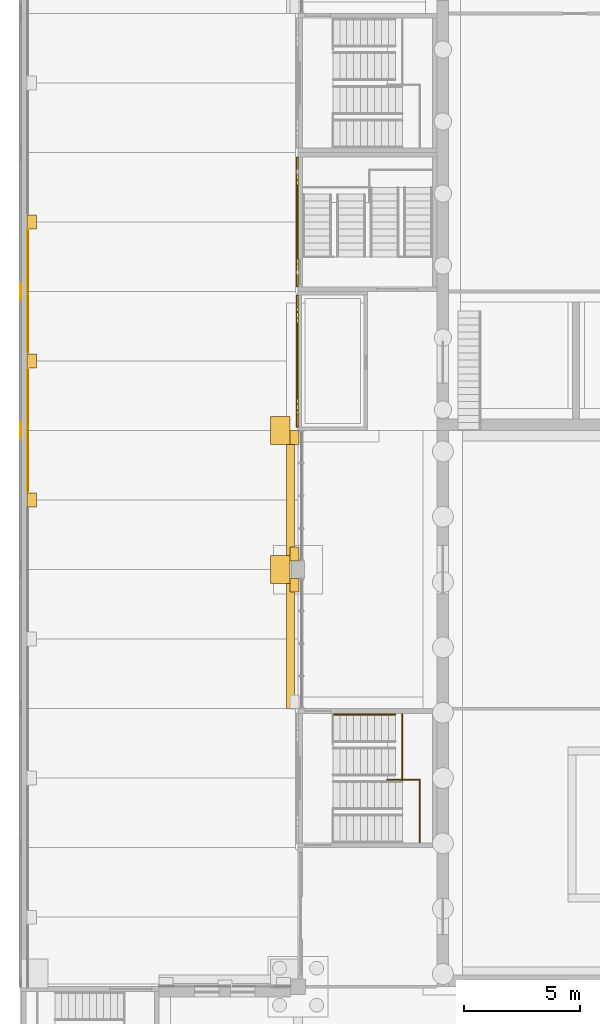
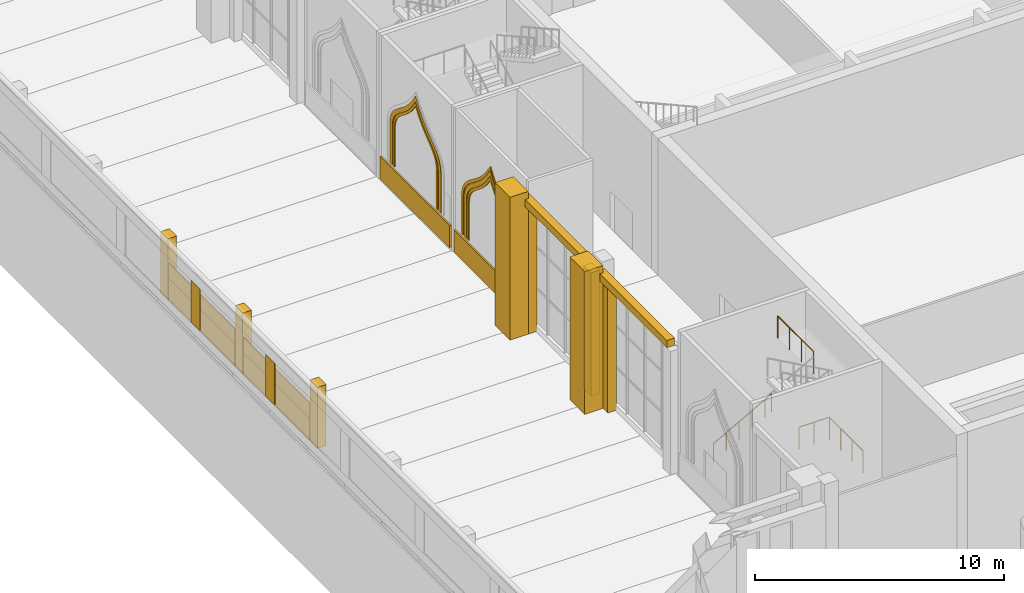
# One storey, part 67 of 95: 23 coverings, 4 railings.
"""IFC4 building model written with IfcOpenShell, lengths in metres."""

from ifc_helpers import new_model, si_unit, direction, frame, origin, origin_2d, place, context, subcontext, project, spatial, polyline, rectangle, circle, outline, extrude, material, layer, layer_set, type_object, element, save


model = new_model("IFC4")

# Units and contexts
model_context = context("Model", 3, precision=1e-05, world=origin(), true_north=direction((0.0, 1.0)))
body_context = subcontext(model_context, "Body", "Model", "MODEL_VIEW")
ifc_project = project(units=[si_unit("LENGTHUNIT", "METRE"), si_unit("AREAUNIT", "SQUARE_METRE"), si_unit("VOLUMEUNIT", "CUBIC_METRE"), si_unit("PLANEANGLEUNIT", "RADIAN"), si_unit("MASSUNIT", "GRAM", prefix="KILO")], contexts=[model_context])

# Site, building, storey
site_placement = place(None, origin())
site = spatial("IfcSite", under=ifc_project, at=site_placement, CompositionType="ELEMENT")
building_placement = place(site_placement, origin())
building = spatial("IfcBuilding", under=site, at=building_placement, Name="Saffron Lane Theatres", CompositionType="ELEMENT")
storey_placement = place(building_placement, origin())
storey = spatial("IfcBuildingStorey", under=building, at=storey_placement, Name="L00", CompositionType="ELEMENT", Elevation=0.0)

# Coverings
ifc_material_1 = material(Name="Masonry sandstone", Category="masonry")
ifc_layer_1 = layer(ifc_material_1, 0.050048828125)
ifc_layer_set_1 = layer_set([ifc_layer_1], Name="Masonry sandstone")
covering_type_1 = type_object("IfcCoveringType", Name="EX-ARCH FRAME RING SANDSTONE 50", PredefinedType="CLADDING", material=ifc_layer_set_1)
covering_1_placement = place(storey_placement, frame((12.0, 61.220947265625, 3.31103515625), z_axis=(1.0, 0.0, 0.0), x_axis=(0.0, -0.060212267817, -0.99818559537)))
element("IfcCovering", 1, at=covering_1_placement, inside=storey, type_object=covering_type_1, Name="Arch recess ring L00", PredefinedType="CLADDING", context=body_context, shape_type="SweptSolid", body=[
    extrude(outline(polyline([(0.0, 0.0), (0.18245996245064686, -1.734723475976807e-18), (2.0579571162514476, 0.11313320632846652), (2.050724587988245, 0.2330324526473327), (0.17912659666935885, 0.12013445049002722), (0.008851516974694298, 0.1208694635249055), (-0.13960380243034332, 0.14101992754420883), (-0.27042632246488074, 0.1810670310814375), (-0.3880257946657277, 0.2370760043565431), (-0.4986122624964559, 0.31062892209304366), (-0.603885402766164, 0.39746532206832463), (-0.708349375352586, 0.499270180830787), (-0.8142206528964551, 0.6122410309466604), (-0.9258563926685295, 0.7356258724131494), (-1.0450444730420934, 0.8666264289383572), (-1.175625255456271, 1.0040327057306444), (-1.3213214992646054, 1.144685126757414), (-1.4861878630399454, 1.2868716016560897), (-1.6721445275018532, 1.4299871330308516), (-1.882826050439687, 1.5694099589183848), (-2.040617995422439, 1.659192944482378), (-1.8947626621261104, 1.767292454875538), (-1.7023682634960484, 1.931029511956845), (-1.5349633280344688, 2.0954604213430774), (-1.3883840885669005, 2.256433829413242), (-1.2607103643737818, 2.4145547335631594), (-1.1475346906255224, 2.5656864804325337), (-1.0449579048402078, 2.7100642741925265), (-0.9489632424503434, 2.8459737377733414), (-0.8574394193472985, 2.9708517990542433), (-0.7659704772175246, 3.0844756674175486), (-0.6719577366421521, 3.184311671263917), (-0.5709558387862367, 3.2696496246654263), (-0.4609417011053337, 3.339388641432058), (-0.3358816832642421, 3.394871018701731), (-0.1909838269480154, 3.4336953872213822), (-0.02197296967334153, 3.4539183725267932), (1.8496250216455448, 3.5668163746840986), (1.8423924933823423, 3.6867156210029646), (-0.03310466041845825, 3.5735824146744983), (-0.2142415994063242, 3.5516496257137304), (-0.3750470978320768, 3.508930668126604), (-0.5175148377187658, 3.446039032792898), (-0.6428401135973336, 3.366571383496617), (-0.754264496287823, 3.2715551051242904), (-0.8570526391547226, 3.163118468752466), (-0.9530868289122405, 3.044082944417697), (-1.0463985303885692, 2.9164066068448986), (-1.142378492517736, 2.780253445608964), (-1.2440392887253622, 2.63690924351224), (-1.3551392856631255, 2.487859380230101), (-1.480212043730155, 2.335276227621187), (-1.6211630433853152, 2.1783110906345584), (-1.7838178346068216, 2.020281328100966), (-1.9696239030646943, 1.860855040801105), (-2.26018958268524, 1.6459480095938712), (-1.9458976822988232, 1.4675270254379955), (-1.742333698918291, 1.332566545353323), (-1.5618033906885445, 1.1942599592614251), (-1.403079775850027, 1.0565946312084007), (-1.2604990072921967, 0.9189338765698157), (-1.132287906902467, 0.7843196692926863), (-1.0141922192349622, 0.6552098929656452), (-0.9024829781593999, 0.530606563223558), (-0.7945004165069005, 0.415072640986949), (-0.6848537853434367, 0.30844413668092546), (-0.569776224533372, 0.21314953337272505), (-0.44773825361924, 0.13221610474866663), (-0.31376922445050365, 0.06838953283459553), (-0.16483336985688563, 0.024054199915656917), (0.0, 0.0)])), origin(), (0.0, 0.0, -1.0), 0.050048828125),
])
covering_2_placement = place(storey_placement, frame((12.0, 60.962890625, 3.333984375), z_axis=(1.0, 0.0, 0.0), x_axis=(0.0, -0.063270109204, -0.997996439513)))
element("IfcCovering", 2, at=covering_2_placement, inside=storey, type_object=covering_type_1, Name="Arch recess ring L00", PredefinedType="CLADDING", context=body_context, shape_type="SweptSolid", body=[
    extrude(outline(polyline([(0.0, 0.0), (0.20451131328636926, 0.0), (2.0806276668637502, 0.11894039083684353), (2.067976734383832, 0.31849094844461956), (0.19770801619422412, 0.19992128090389083), (0.0144407216005487, 0.20053419842883544), (-0.1432761019235517, 0.22258203382804242), (-0.2813055365698555, 0.2659377152798876), (-0.40748727254448935, 0.3269240290838356), (-0.5257351802433071, 0.4055374778503005), (-0.6390348645762146, 0.5025673058291871), (-0.7523176448594566, 0.6147653124425081), (-0.8697101493553678, 0.7416252505476917), (-0.9917579708393627, 0.8801769620388366), (-1.124428821741667, 1.0280850650198985), (-1.2693046879516765, 1.1832922200669196), (-1.4318505321466313, 1.3432502874173748), (-1.61456115889787, 1.5048655345333244), (-1.820983212694718, 1.6662006990332623), (-2.0556688375324716, 1.8257440342686455), (-2.188717697959195, 1.9024406220928562), (-2.066419813119802, 1.9953254605140816), (-1.8537613307928715, 2.18322912790225), (-1.6693664195068467, 2.369340966025863), (-1.5085284672263832, 2.552736206788559), (-1.367484574206089, 2.731940991928976), (-1.2433692125785105, 2.9042014185972795), (-1.1304393771943213, 3.067679900015165), (-1.0268659333000492, 3.2205353520147404), (-0.9264340196013918, 3.3612047329002017), (-0.8282273200268198, 3.486810565389676), (-0.728088312705989, 3.597371793676754), (-0.6207149550265398, 3.69028898295165), (-0.5033070037266237, 3.767696706658345), (-0.37179612037033916, 3.82716194744152), (-0.2181263594954924, 3.868950798358842), (-0.036403745302295454, 3.8927030282829542), (1.833864972887312, 4.011272695823683), (1.8212140404073933, 4.2108232534314585), (-0.05490231316998792, 4.091882862594615), (-0.25777626523185, 4.066055806298615), (-0.4400543814709548, 4.016337498842459), (-0.6007775027933451, 3.9430333789166583), (-0.7421419898590216, 3.8499182956810216), (-0.8672570220099287, 3.7397307051813806), (-0.9817455273529403, 3.6162728527959676), (-1.0873594066215049, 3.480167565320222), (-1.1904062019339534, 3.334439793296892), (-1.295867070408131, 3.1804861609673156), (-1.405753011055981, 3.0191576997974177), (-1.527512589348264, 2.8521838689374683), (-1.6619848873364846, 2.6812238882968886), (-1.8152920854909174, 2.506378890724539), (-1.9914252882274395, 2.3288636362032866), (-2.193447334475981, 2.15068562635549), (-2.5481036228327842, 1.8796565861857983), (-2.162059428738258, 1.6555858301906534), (-1.9391533034752475, 1.5043470465272013), (-1.7420896813122417, 1.3517145531137325), (-1.567913850947345, 1.1973864086493233), (-1.4128664100247506, 1.0438026252684656), (-1.2709950929182379, 0.8935422363416936), (-1.1416152856163493, 0.747382536704494), (-1.0175564651204108, 0.6079797937474251), (-0.896931206850517, 0.47643218780048757), (-0.77497460894489, 0.35475421526521117), (-0.6458116397973328, 0.2467431668845833), (-0.5077830794984254, 0.15323812471010928), (-0.3557911912774569, 0.07872099349623404), (-0.18715930630461686, 0.0272755584828641), (0.0, 0.0)])), origin(), (0.0, 0.0, -1.0), 0.050048828125),
])
covering_3_placement = place(storey_placement, frame((12.0, 55.172119140625, 3.2509765625), z_axis=(1.0, 0.0, 0.0), x_axis=(0.0, -0.065135536954, -0.99787642613)))
element("IfcCovering", 3, at=covering_3_placement, inside=storey, type_object=covering_type_1, Name="Arch recess ring L00", PredefinedType="CLADDING", context=body_context, shape_type="SweptSolid", body=[
    extrude(outline(polyline([(0.0, 0.0), (0.18740969708573668, 0.0), (1.997522452492249, 0.11815357411269665), (1.9896985549870747, 0.23801568389197042), (0.183483754370132, 0.12011654547049898), (0.007116566283568505, 0.11961403498032921), (-0.14448703206527552, 0.14079008147177355), (-0.2794193678358172, 0.18018054300880104), (-0.40235696903277546, 0.23821414373112607), (-0.5155611328619141, 0.31205201741390365), (-0.625657364722737, 0.4019956703512356), (-0.7335088376977259, 0.506276138399879), (-0.8423672399207384, 0.6222345685865303), (-0.9577404680175718, 0.7480434765589647), (-1.0807671217064587, 0.882405240291934), (-1.2171510130954402, 1.0227456066794671), (-1.3679989374413455, 1.167279709347619), (-1.536758498360276, 1.3126019265693414), (-1.7297638723852824, 1.4582988003463926), (-1.9475550992709907, 1.6013991578944908), (-2.111889387430287, 1.693918972205478), (-1.9609765819831193, 1.807016273044302), (-1.7636356237796356, 1.9772140317078826), (-1.5912077362824661, 2.1467642515372956), (-1.4427712262001475, 2.3127911731324673), (-1.311991916999629, 2.4757082544916393), (-1.195008747066568, 2.63258694080881), (-1.0904922899143137, 2.7818013880170493), (-0.9925161022050024, 2.922515138781455), (-0.8995917351449673, 3.0506661272916173), (-0.806211292108411, 3.168081837899761), (-0.7087414314246381, 3.2715741913948344), (-0.6060963487813447, 3.359501441479207), (-0.4917459521632366, 3.4330238149048653), (-0.3630790952891151, 3.4896204900609957), (-0.21551466353847096, 3.5303244758539734), (-0.040578676215049125, 3.5527529820354737), (1.7656361244018934, 3.6706521204569453), (1.757812226896719, 3.790514230236219), (-0.052300528509793526, 3.672360656123522), (-0.23812000252537277, 3.6479984386887105), (-0.4035216484093588, 3.6031942217316395), (-0.5487967950282042, 3.5386629695446508), (-0.6774833706683956, 3.4561310282927082), (-0.792452046016181, 3.3583469395302723), (-0.8964621761428975, 3.2463538895913655), (-0.9946406402267327, 3.1237317886515266), (-1.0911926241544108, 2.991184787486221), (-1.189168811863722, 2.850471036721815), (-1.2927743892413905, 2.7022946871337745), (-1.4071044310042007, 2.549748404548941), (-1.5339965989320263, 2.3909996159012654), (-1.6788054921467017, 2.229368706961237), (-1.8444863812018073, 2.0651520953091325), (-2.03605482966062, 1.900224335900053), (-2.331392966517941, 1.6795910623433596), (-2.0098797579258285, 1.499222236923052), (-1.7984971300128545, 1.3605967670943766), (-1.6128748436579747, 1.219311172113942), (-1.4482835754505412, 1.0778760961649125), (-1.301911174913287, 0.938187721236144), (-1.1686415763849018, 0.8005799941723696), (-1.0466530203162137, 0.6671291102139867), (-0.931216183296574, 0.5403457135441597), (-0.8182530972848712, 0.421474630782208), (-0.7049675140345404, 0.31265566609133544), (-0.5872814655044701, 0.2151336460908612), (-0.4605769438989229, 0.1331245701843867), (-0.32225361645357753, 0.0680214737813698), (-0.16982246601902362, 0.02292274751170524), (0.0, 0.0)])), origin(), (0.0, 0.0, -1.0), 0.050048828125),
])
covering_4_placement = place(storey_placement, frame((12.0, 54.9130859375, 3.27392578125), z_axis=(1.0, 0.0, 0.0), x_axis=(0.0, -0.062958960636, -0.998016116741)))
element("IfcCovering", 4, at=covering_4_placement, inside=storey, type_object=covering_type_1, Name="Arch recess ring L00", PredefinedType="CLADDING", context=body_context, shape_type="SweptSolid", body=[
    extrude(outline(polyline([(0.0, 0.0), (0.2093997997570811, 1.734723475976807e-18), (2.0207405741359783, 0.1142668245519398), (2.0081364853368675, 0.31406497292303154), (0.20264346164200212, 0.2001670485310657), (0.014274956036030101, 0.2002706593784658), (-0.14739496978219557, 0.22309635677685571), (-0.2905891459217245, 0.26714690705226696), (-0.4198140749540906, 0.3301810140167095), (-0.5411457930018284, 0.41157075039170915), (-0.6585135422009568, 0.511557495294286), (-0.775097947850511, 0.6262712127869349), (-0.8944177937295017, 0.7572023050591806), (-1.0207490198094793, 0.8984546317455132), (-1.1555689346014508, 1.0501796240844403), (-1.3048459783479582, 1.2100437608479786), (-1.4715017492295357, 1.3739487206601206), (-1.6583217850282097, 1.5395171469343678), (-1.8710923530680161, 1.7054055143967404), (-2.110785801301479, 1.8676384683912226), (-2.2511995632723147, 1.9490475606388133), (-2.1221294812206786, 2.047456801925205), (-1.9047237509856438, 2.2385254517576536), (-1.7144868343842479, 2.4298371885782326), (-1.5499545165840019, 2.6175703661309164), (-1.4052175635408781, 2.8011192594616725), (-1.27721376235287, 2.978475412143977), (-1.1625296479594784, 3.145940144641794), (-1.0549508466781778, 3.3019484777270853), (-0.9530307916779599, 3.4468362927183467), (-0.8517864843473237, 3.5752915411700266), (-0.7479143326672433, 3.689235008791619), (-0.6377725861387162, 3.7852270431655883), (-0.517493485985719, 3.8640008902889207), (-0.3809702544057195, 3.925697164883087), (-0.22345045538720115, 3.9686586626800566), (-0.03658829210112283, 3.9924333671257872), (1.7689047315937425, 4.106331291517753), (1.7563006427946315, 4.306129439888845), (-0.05504013158426574, 4.191862615336905), (-0.2627798806214639, 4.165547737258761), (-0.44886439326167116, 4.113934733703883), (-0.6136756633433789, 4.039201140338785), (-0.758906191137579, 3.9449095763009914), (-0.8880132770632868, 3.831575818666023), (-1.0043050674624912, 3.705106824316425), (-1.1127008004252155, 3.5659261452877242), (-1.2194917038339788, 3.416817042200464), (-1.326947538395288, 3.2588594588871618), (-1.4407799943946658, 3.0934054599773515), (-1.5652541952866263, 2.922142991419062), (-1.70337087061318, 2.7461058845248125), (-1.8613443940568517, 2.5668591185226415), (-2.041108645005653, 2.3840360704140555), (-2.249031705542097, 2.201638282212107), (-2.6105925740617786, 1.9263755716404125), (-2.217306291784335, 1.6987317233853592), (-1.9881099886893914, 1.5439092221414654), (-1.7868573034221058, 1.3861007929051894), (-1.607549054059939, 1.2271526443475125), (-1.4484050696148687, 1.0698679622519405), (-1.3033954264843568, 0.9156056427324515), (-1.1696731035263819, 0.7657684172615394), (-1.043218910726413, 0.6225668403471962), (-0.9185363495589115, 0.4880600352589063), (-0.7935093677173604, 0.3636046209491667), (-0.662246379159212, 0.2527524000384675), (-0.5199203708344367, 0.1565417581622911), (-0.3639917384009912, 0.08124855236315773), (-0.19109540647985374, 0.027818943236556214), (0.0, 0.0)])), origin(), (0.0, 0.0, -1.0), 0.050048828125),
])
covering_5_placement = place(storey_placement, frame((12.0, 54.715087890625, 3.2890625), z_axis=(1.0, 0.0, 0.0), x_axis=(0.0, -0.06709359494, -0.997746686047)))
element("IfcCovering", 5, at=covering_5_placement, inside=storey, type_object=covering_type_1, Name="Arch recess ring L00", PredefinedType="CLADDING", context=body_context, shape_type="SweptSolid", body=[
    extrude(outline(polyline([(0.0, 0.0), (0.22560601743694642, 0.0), (2.035483428894474, 0.12170542246243679), (2.0260811526504043, 0.2615263691887653), (0.2201011891852481, 0.14008303108156392), (0.010654046077845323, 0.1399461765492938), (-0.17142747453431323, 0.16587403386188582), (-0.3331092155041877, 0.21593003212833642), (-0.48038265768664534, 0.28824312154645093), (-0.6168852783023322, 0.3823240075336731), (-0.7487538670724254, 0.49482371701846667), (-0.8788951297190015, 0.6253020962348818), (-1.0110263312402075, 0.7708175653329278), (-1.1488974971785952, 0.9289157254616601), (-1.297492985846535, 1.097303866908647), (-1.460513681969971, 1.2727968193243737), (-1.6412879511812173, 1.4539473064003936), (-1.844929080386752, 1.6367411046554097), (-2.075674276128173, 1.818691054694073), (-2.3373554653090434, 1.9985607101630554), (-2.542925767863297, 2.119073014734118), (-2.355341004187072, 2.2660230786395514), (-2.1200975743405728, 2.479308489401047), (-1.915790137933522, 2.6905136055928613), (-1.7384557258847402, 2.8989261495721372), (-1.583562286752989, 3.1026486517428054), (-1.4455051254657245, 3.2983876206004665), (-1.3207920736686103, 3.4851544274583355), (-1.2053291201028489, 3.660288070677369), (-1.0938698221008347, 3.822183811977627), (-0.9823693092203761, 3.9689114212186367), (-0.8667499504748774, 4.098053487260877), (-0.7440722795978576, 4.209562982871254), (-0.6078063803352867, 4.300942709132743), (-0.45428201492211384, 4.372194779628856), (-0.27737666032585434, 4.423241520165602), (-0.06973134716069487, 4.450173329645427), (1.7362486163044613, 4.571616667752628), (1.7268463400603915, 4.711437614478956), (-0.08303107139713625, 4.589732192016519), (-0.3066059350810083, 4.55952697007564), (-0.5042635093698382, 4.504148440135226), (-0.677221746761242, 4.423514700834264), (-0.8305326402399086, 4.319977642223469), (-0.9666669689289844, 4.197530880344912), (-1.0906275849965517, 4.057795533750737), (-1.2065904010624193, 3.904650556577603), (-1.320710700703477, 3.7386608040185467), (-1.4370824951785224, 3.5624872777126115), (-1.5611958176546843, 3.3777183356675353), (-1.6965428364862989, 3.185342606570103), (-1.8473792520706767, 2.9867867592895387), (-2.020234980661847, 2.7845479927428642), (-2.218065868798494, 2.5789169246626993), (-2.4457458400545917, 2.3732361873700505), (-2.7901701248793653, 2.1024470384488727), (-2.412592169117314, 1.8802090163350522), (-2.159424494314574, 1.7068629363695702), (-1.9358438182760498, 1.5295697391992324), (-1.7374676255938326, 1.3522945074887294), (-1.5614055908180482, 1.1757209855035342), (-1.4015209242275195, 1.0031981463151827), (-1.2537872492357676, 0.8367095880477752), (-1.1148762002104782, 0.6777025870097586), (-0.979559828339758, 0.5284862331857677), (-0.8441372488976622, 0.39224569692531625), (-0.702584220484919, 0.27036484703155256), (-0.5512817597365947, 0.1672468063516067), (-0.3855546199286513, 0.08614226632380159), (-0.20329238792639093, 0.028416601895573258), (0.0, 0.0)])), origin(), (0.0, 0.0, -1.0), 0.050048828125),
])
ifc_material_2 = material(Name="Masonry sandstone", Category="masonry")
ifc_layer_2 = layer(ifc_material_2, 0.0400390625)
ifc_layer_set_2 = layer_set([ifc_layer_2], Name="Masonry sandstone")
covering_type_2 = type_object("IfcCoveringType", Name="EX-BANDING COURSE SANDSTONE 40", PredefinedType="CLADDING", material=ifc_layer_set_2)
for number, where, z_axis, x_axis, name in (
    (6, (0.330078125, 54.0, 1.10009765625), (0.0, 0.0, 1.0), (0.0, 1.0, 0.0), "Banding course L00"),
    (7, (0.330078125, 60.0, 1.10009765625), (0.0, 0.0, 1.0), (0.0, 1.0, 0.0), "Banding course L00"),
):
    element("IfcCovering", number, at=place(storey_placement, frame(where, z_axis=z_axis, x_axis=x_axis)), inside=storey, type_object=covering_type_2, Name=name, PredefinedType="CLADDING", context=body_context, shape_type="SweptSolid", body=[
        extrude(rectangle(XDim=5.300048828125, YDim=0.0400390625, at=origin_2d()), origin(), (0.0, 0.0, 1.0), 0.75),
    ])
ifc_material_3 = material(Name="Masonry sandstone", Category="masonry")
ifc_layer_3 = layer(ifc_material_3, 0.39990234375)
ifc_layer_set_3 = layer_set([ifc_layer_3], Name="Masonry sandstone")
covering_type_3 = type_object("IfcCoveringType", Name="EX-BOUNDARY PILASTER SANDSTONE 400", PredefinedType="CLADDING", material=ifc_layer_set_3)
for number, where, z_axis, x_axis, name in (
    (8, (0.510009765625, 51.0, 0.0), (0.0, 0.0, 1.0), (0.0, 1.0, 0.0), "Boundary wall pilaster L00"),
    (9, (0.510009765625, 57.0, 0.0), (0.0, 0.0, 1.0), (0.0, 1.0, 0.0), "Boundary wall pilaster L00"),
    (10, (0.510009765625, 63.0, 0.0), (0.0, 0.0, 1.0), (0.0, 1.0, 0.0), "Boundary wall pilaster L00"),
):
    element("IfcCovering", number, at=place(storey_placement, frame(where, z_axis=z_axis, x_axis=x_axis)), inside=storey, type_object=covering_type_3, Name=name, PredefinedType="CLADDING", context=body_context, shape_type="SweptSolid", body=[
        extrude(rectangle(XDim=0.60009765625, YDim=0.39990234375, at=origin_2d()), origin(), (0.0, 0.0, 1.0), 3.0),
    ])
ifc_material_4 = material(Name="Face brick cladding, pale buff", Category="masonry")
ifc_layer_4 = layer(ifc_material_4, 0.0400390625)
ifc_layer_set_4 = layer_set([ifc_layer_4], Name="Face brick cladding, pale buff")
covering_type_4 = type_object("IfcCoveringType", Name="EX-FACE BRICK SKIN PALE BUFF 40", PredefinedType="CLADDING", material=ifc_layer_set_4)
for number, where, z_axis, x_axis, name in (
    (11, (0.0400390625, 54.0, 0.4501953125), (0.0, 0.0, 1.0), (0.0, 1.0, 0.0), "Face brick cladding, pale buff L00"),
    (12, (0.0400390625, 60.0, 0.4501953125), (0.0, 0.0, 1.0), (0.0, 1.0, 0.0), "Face brick cladding, pale buff L00"),
):
    element("IfcCovering", number, at=place(storey_placement, frame(where, z_axis=z_axis, x_axis=x_axis)), inside=storey, type_object=covering_type_4, Name=name, PredefinedType="CLADDING", context=body_context, shape_type="SweptSolid", body=[
        extrude(rectangle(XDim=0.699951171875, YDim=0.0400390625, at=origin_2d()), origin(), (0.0, 0.0, 1.0), 2.050048828125),
    ])
ifc_material_5 = material(Name="Masonry sandstone", Category="masonry")
ifc_layer_5 = layer(ifc_material_5, 1.199951171875)
ifc_layer_set_5 = layer_set([ifc_layer_5], Name="Masonry sandstone")
covering_type_5 = type_object("IfcCoveringType", Name="EX-FLANK BUTTRESS PIER SANDSTONE 1200", PredefinedType="CLADDING", material=ifc_layer_set_5)
for number, where, z_axis, x_axis, name in (
    (13, (11.22509765625, 48.0, 0.0), (0.0, 0.0, 1.0), (0.0, 1.0, 0.0), "Flank buttress west L00"),
    (14, (11.22509765625, 54.0, 0.0), (0.0, 0.0, 1.0), (0.0, 1.0, 0.0), "Flank buttress west L00"),
):
    element("IfcCovering", number, at=place(storey_placement, frame(where, z_axis=z_axis, x_axis=x_axis)), inside=storey, type_object=covering_type_5, Name=name, PredefinedType="CLADDING", context=body_context, shape_type="SweptSolid", body=[
        extrude(rectangle(XDim=1.199951171875, YDim=0.85009765625, at=origin_2d()), origin(), (0.0, 0.0, 1.0), 7.0),
    ])
ifc_material_6 = material(Name="Masonry sandstone", Category="masonry")
ifc_layer_6 = layer(ifc_material_6, 0.39990234375)
ifc_layer_set_6 = layer_set([ifc_layer_6], Name="Masonry sandstone")
covering_type_6 = type_object("IfcCoveringType", Name="EX-PILASTER PIER SANDSTONE 400", PredefinedType="CLADDING", material=ifc_layer_set_6)
for number, where, z_axis, x_axis, name in (
    (15, (11.85009765625, 47.324951171875, 0.0), (0.0, 0.0, 1.0), (0.0, 1.0, 0.0), "Pilaster pier L00"),
    (16, (11.85009765625, 48.675048828125, 0.0), (0.0, 0.0, 1.0), (0.0, 1.0, 0.0), "Pilaster pier L00"),
    (17, (11.85009765625, 53.699951171875, 0.0), (0.0, 0.0, 1.0), (0.0, 1.0, 0.0), "Pilaster pier L00"),
):
    element("IfcCovering", number, at=place(storey_placement, frame(where, z_axis=z_axis, x_axis=x_axis)), inside=storey, type_object=covering_type_6, Name=name, PredefinedType="CLADDING", context=body_context, shape_type="SweptSolid", body=[
        extrude(rectangle(XDim=0.60009765625, YDim=0.39990234375, at=origin_2d()), origin(), (0.0, 0.0, 1.0), 6.050048828125),
    ])
ifc_material_7 = material(Name="Masonry sandstone", Category="masonry")
ifc_layer_7 = layer(ifc_material_7, 0.070068359375)
ifc_layer_set_7 = layer_set([ifc_layer_7], Name="Masonry sandstone")
covering_type_7 = type_object("IfcCoveringType", Name="EX-PLINTH COURSE SANDSTONE 70", PredefinedType="CLADDING", material=ifc_layer_set_7)
covering_6_placement = place(storey_placement, frame((11.965087890625, 63.0, 0.0), z_axis=(0.0, 0.0, 1.0), x_axis=(0.0, 1.0, 0.0)))
element("IfcCovering", 18, at=covering_6_placement, inside=storey, type_object=covering_type_7, Name="Plinth course L00", PredefinedType="CLADDING", context=body_context, shape_type="SweptSolid", body=[
    extrude(rectangle(XDim=5.60009765625, YDim=0.070068359375, at=origin_2d()), origin(), (0.0, 0.0, 1.0), 1.10009765625),
])
covering_7_placement = place(storey_placement, frame((11.965087890625, 57.0, 0.0), z_axis=(0.0, 0.0, 1.0), x_axis=(0.0, 1.0, 0.0)))
element("IfcCovering", 19, at=covering_7_placement, inside=storey, type_object=covering_type_7, Name="Plinth course L00", PredefinedType="CLADDING", context=body_context, shape_type="SweptSolid", body=[
    extrude(rectangle(XDim=5.699951171875, YDim=0.070068359375, at=origin_2d()), origin(), (0.0, 0.0, 1.0), 1.10009765625),
])
for number, where, z_axis, x_axis, name in (
    (20, (0.344970703125, 54.0, 0.0), (0.0, 0.0, 1.0), (0.0, 1.0, 0.0), "Plinth course L00"),
    (21, (0.344970703125, 60.0, 0.0), (0.0, 0.0, 1.0), (0.0, 1.0, 0.0), "Plinth course L00"),
):
    element("IfcCovering", number, at=place(storey_placement, frame(where, z_axis=z_axis, x_axis=x_axis)), inside=storey, type_object=covering_type_7, Name=name, PredefinedType="CLADDING", context=body_context, shape_type="SweptSolid", body=[
        extrude(rectangle(XDim=5.300048828125, YDim=0.070068359375, at=origin_2d()), origin(), (0.0, 0.0, 1.0), 1.10009765625),
    ])
ifc_material_8 = material(Name="Masonry sandstone", Category="masonry")
ifc_layer_8 = layer(ifc_material_8, 0.300048828125)
ifc_layer_set_8 = layer_set([ifc_layer_8], Name="Masonry sandstone")
covering_type_8 = type_object("IfcCoveringType", Name="EX-STRING COURSE SANDSTONE 350", PredefinedType="CLADDING", material=ifc_layer_set_8)
for number, where, z_axis, x_axis, name in (
    (22, (11.675048828125, 44.81201171875, 6.300048828125), (0.0, 0.0, 1.0), (0.0, 1.0, 0.0), "String course L00"),
    (23, (11.675048828125, 51.18798828125, 6.300048828125), (0.0, 0.0, 1.0), (0.0, 1.0, 0.0), "String course L00"),
):
    element("IfcCovering", number, at=place(storey_placement, frame(where, z_axis=z_axis, x_axis=x_axis)), inside=storey, type_object=covering_type_8, Name=name, PredefinedType="CLADDING", context=body_context, shape_type="SweptSolid", body=[
        extrude(rectangle(XDim=5.625, YDim=0.35009765625, at=origin_2d()), origin(), (0.0, 0.0, 1.0), 0.35009765625),
    ])

# Railings
ifc_material_9 = material(Name="Steel Grade 350", Category="steel")
railing_type_1 = type_object("IfcRailingType", Name="VC-GUARD 1100", PredefinedType="GUARDRAIL", material=ifc_material_9)
railing_1_placement = place(storey_placement, frame((17.25, 38.89990234375, 1.666748046875)))
element("IfcRailing", 24, at=railing_1_placement, inside=storey, type_object=railing_type_1, Name="Stage West Stair landing guard 1N1s", PredefinedType="GUARDRAIL", context=body_context, shape_type="SweptSolid", body=[
    extrude(circle(Radius=0.02392578125, at=origin_2d()), frame((0.0, 0.0, 1.076171875), z_axis=(0.0, -1.0, 0.0), x_axis=(1.0, 0.0, 0.0)), (0.0, 0.0, 1.0), 2.669921875),
    extrude(circle(Radius=0.02099609375, at=origin_2d()), origin(), (0.0, 0.0, 1.0), 1.052001953125),
    extrude(circle(Radius=0.02099609375, at=origin_2d()), frame((0.0, -0.889892578125, 0.0)), (0.0, 0.0, 1.0), 1.052001953125),
    extrude(circle(Radius=0.02099609375, at=origin_2d()), frame((0.0, -1.780029296875, 0.0)), (0.0, 0.0, 1.0), 1.052001953125),
    extrude(circle(Radius=0.02099609375, at=origin_2d()), frame((0.0, -2.669921875, 0.0)), (0.0, 0.0, 1.0), 1.052001953125),
])
railing_2_placement = place(storey_placement, frame((15.85009765625, 38.929931640625, 1.666748046875)))
element("IfcRailing", 25, at=railing_2_placement, inside=storey, type_object=railing_type_1, Name="Stage West Stair landing guard 1N1e", PredefinedType="GUARDRAIL", context=body_context, shape_type="SweptSolid", body=[
    extrude(circle(Radius=0.02392578125, at=origin_2d()), frame((0.0, 0.0, 1.076171875), z_axis=(1.0, 0.0, 0.0), x_axis=(0.0, 1.0, 0.0)), (0.0, 0.0, 1.0), 1.39990234375),
    extrude(circle(Radius=0.02099609375, at=origin_2d()), origin(), (0.0, 0.0, 1.0), 1.052001953125),
    extrude(circle(Radius=0.02099609375, at=origin_2d()), frame((0.699951171875, 0.0, 0.0)), (0.0, 0.0, 1.0), 1.052001953125),
    extrude(circle(Radius=0.02099609375, at=origin_2d()), frame((1.39990234375, 0.0, 0.0)), (0.0, 0.0, 1.0), 1.052001953125),
])
railing_3_placement = place(storey_placement, frame((16.5, 41.77001953125, 5.166748046875)))
element("IfcRailing", 26, at=railing_3_placement, inside=storey, type_object=railing_type_1, Name="Stage West Stair landing guard 1N2s", PredefinedType="GUARDRAIL", context=body_context, shape_type="SweptSolid", body=[
    extrude(circle(Radius=0.02392578125, at=origin_2d()), frame((0.0, 0.0, 1.076171875), z_axis=(0.0, -1.0, 0.0), x_axis=(1.0, 0.0, 0.0)), (0.0, 0.0, 1.0), 2.8701171875),
    extrude(circle(Radius=0.02099609375, at=origin_2d()), origin(), (0.0, 0.0, 1.0), 1.052001953125),
    extrude(circle(Radius=0.02099609375, at=origin_2d()), frame((0.0, -0.956787109375, 0.0)), (0.0, 0.0, 1.0), 1.052001953125),
    extrude(circle(Radius=0.02099609375, at=origin_2d()), frame((0.0, -1.913330078125, 0.0)), (0.0, 0.0, 1.0), 1.052001953125),
    extrude(circle(Radius=0.02099609375, at=origin_2d()), frame((0.0, -2.8701171875, 0.0)), (0.0, 0.0, 1.0), 1.052001953125),
])
ifc_material_10 = material(Name="Steel Grade 350", Category="steel")
railing_type_2 = type_object("IfcRailingType", Name="VC-HANDRAIL 900", PredefinedType="HANDRAIL", material=ifc_material_10)
railing_4_placement = place(storey_placement, frame((13.5, 41.75, 0.166748046875)))
element("IfcRailing", 27, at=railing_4_placement, inside=storey, type_object=railing_type_2, Name="Stage West Stair handrail 1.1a", PredefinedType="HANDRAIL", context=body_context, shape_type="SweptSolid", body=[
    extrude(circle(Radius=0.02392578125, at=origin_2d()), frame((0.0, 0.0, 0.8759765625), z_axis=(0.874241147926, 0.0, 0.485491931212), x_axis=(0.0, 1.0, 0.0)), (0.0, 0.0, 1.0), 0.6865234375),
    extrude(circle(Radius=0.02392578125, at=origin_2d()), frame((0.60009765625, 0.0, 1.208984375), z_axis=(0.874157276122, 0.0, 0.485642931179), x_axis=(0.0, 1.0, 0.0)), (0.0, 0.0, 1.0), 0.686279296875),
    extrude(circle(Radius=0.02392578125, at=origin_2d()), frame((1.199951171875, 0.0, 1.54248046875), z_axis=(0.874090171491, 0.0, 0.485763699861), x_axis=(0.0, 1.0, 0.0)), (0.0, 0.0, 1.0), 0.6865234375),
    extrude(circle(Radius=0.02392578125, at=origin_2d()), frame((1.800048828125, 0.0, 1.8759765625), z_axis=(0.874157276122, 0.0, 0.485642931179), x_axis=(0.0, 1.0, 0.0)), (0.0, 0.0, 1.0), 0.686279296875),
    extrude(circle(Radius=0.02392578125, at=origin_2d()), frame((2.39990234375, 0.0, 2.208984375), z_axis=(0.874090171491, 0.0, 0.485763699861), x_axis=(0.0, 1.0, 0.0)), (0.0, 0.0, 1.0), 0.34326171875),
    extrude(circle(Radius=0.02099609375, at=origin_2d()), origin(), (0.0, 0.0, 1.0), 0.851806640625),
    extrude(circle(Radius=0.02099609375, at=origin_2d()), frame((0.60009765625, 0.0, 0.333251953125)), (0.0, 0.0, 1.0), 0.851806640625),
    extrude(circle(Radius=0.02099609375, at=origin_2d()), frame((1.199951171875, 0.0, 0.66650390625)), (0.0, 0.0, 1.0), 0.851806640625),
    extrude(circle(Radius=0.02099609375, at=origin_2d()), frame((1.800048828125, 0.0, 1.0)), (0.0, 0.0, 1.0), 0.851806640625),
    extrude(circle(Radius=0.02099609375, at=origin_2d()), frame((2.39990234375, 0.0, 1.333251953125)), (0.0, 0.0, 1.0), 0.851806640625),
    extrude(circle(Radius=0.02099609375, at=origin_2d()), frame((2.699951171875, 0.0, 1.5)), (0.0, 0.0, 1.0), 0.851806640625),
])

save(model, "model.ifc")
